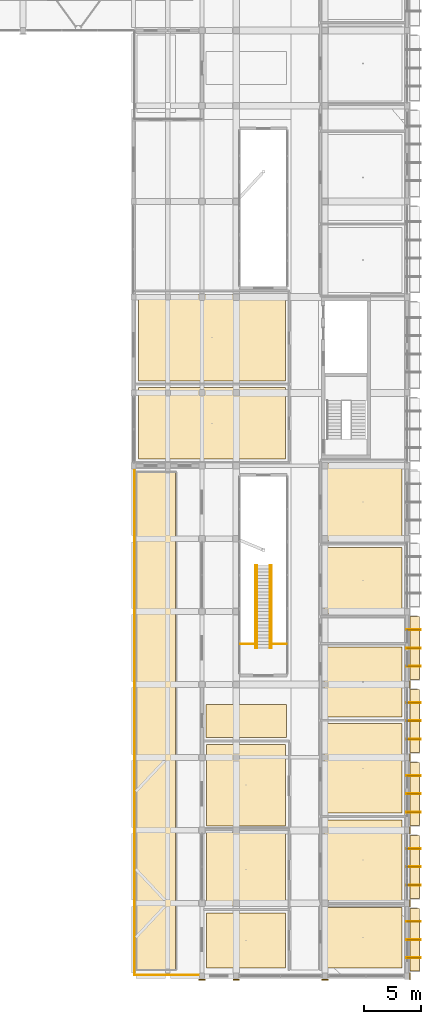
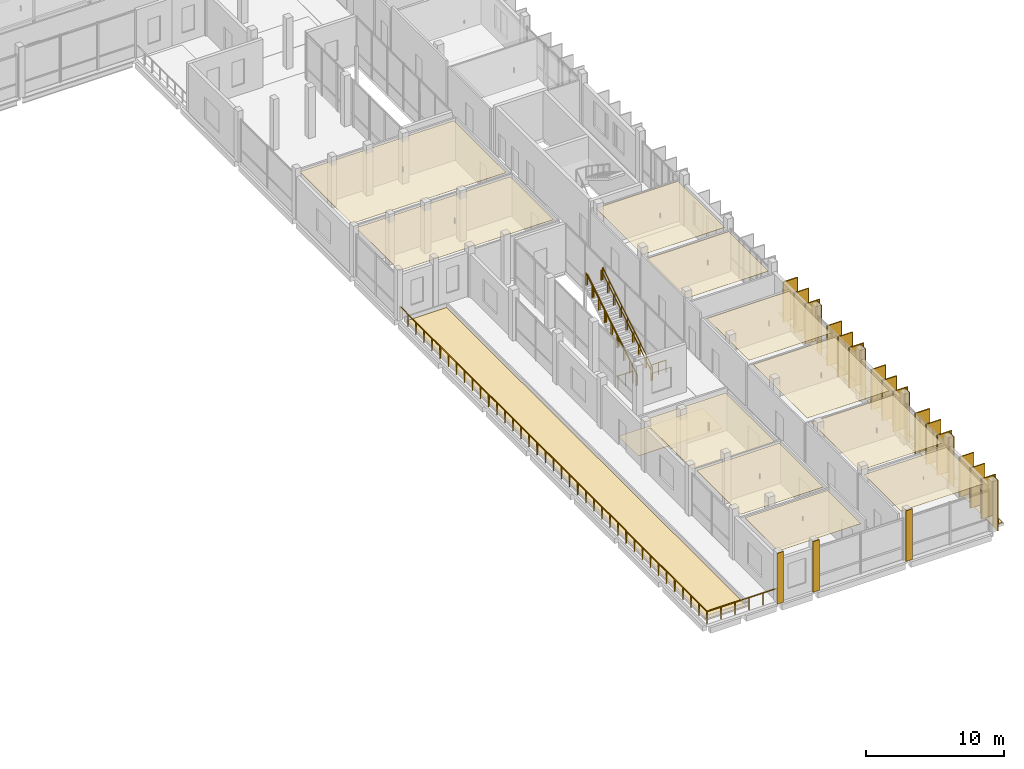
# One storey, part 92 of 95: 41 coverings, 15 shading devices, 8 railings.
"""IFC4 building model written with IfcOpenShell, lengths in metres."""

from ifc_helpers import new_model, si_unit, derived_unit, direction, frame, origin, origin_2d, place, context, subcontext, project, spatial, polyline, rectangle, circle, outline, extrude, material, layer, layer_set, type_object, element, save


model = new_model("IFC4")

# Units and contexts
model_context = context("Model", 3, precision=1e-05, world=origin(), true_north=direction((0.0, 1.0)))
body_context = subcontext(model_context, "Body", "Model", "MODEL_VIEW")
ifc_project = project(units=[si_unit("LENGTHUNIT", "METRE"), si_unit("AREAUNIT", "SQUARE_METRE"), si_unit("VOLUMEUNIT", "CUBIC_METRE"), si_unit("PLANEANGLEUNIT", "RADIAN"), si_unit("MASSUNIT", "GRAM", prefix="KILO"), derived_unit("THERMALTRANSMITTANCEUNIT", [(si_unit("POWERUNIT", "WATT"), 1), (si_unit("LENGTHUNIT", "METRE"), -2), (si_unit("THERMODYNAMICTEMPERATUREUNIT", "KELVIN"), -1)])], contexts=[model_context])

# Site, building, storey
site_placement = place(None, origin())
site = spatial("IfcSite", under=ifc_project, at=site_placement, CompositionType="ELEMENT")
building_placement = place(site_placement, origin())
building = spatial("IfcBuilding", under=site, at=building_placement, Name="Braskholm Square Health Centre", CompositionType="ELEMENT")
storey_placement = place(building_placement, frame((0.0, 0.0, 4.800048828125)))
storey = spatial("IfcBuildingStorey", under=building, at=storey_placement, Name="L02", CompositionType="ELEMENT", Elevation=4.800048828125)

# Coverings
ifc_material_1 = material(Name="Fire-rated gypsum board barrier")
ifc_layer_1 = layer(ifc_material_1, 0.02490234375)
ifc_layer_set_1 = layer_set([ifc_layer_1], Name="Fire-rated gypsum board barrier")
covering_type_1 = type_object("IfcCoveringType", Name="AcousticClinicalCeilingTile", PredefinedType="CEILING", material=ifc_layer_set_1)
covering_1_placement = place(storey_placement, frame((0.0, 0.0, 3.764892578125)))
element("IfcCovering", 1, at=covering_1_placement, inside=storey, type_object=covering_type_1, Name="Acoustic ceiling L02-188", PredefinedType="CEILING", context=body_context, shape_type="SweptSolid", body=[
    extrude(outline(polyline([(156.5, 4.89990234375), (163.3798828125, 4.89990234375), (163.3798828125, 10.25), (156.5, 10.25), (156.5, 4.89990234375)])), origin(), (0.0, 0.0, 1.0), 0.025146484375),
])
covering_2_placement = place(storey_placement, frame((0.0, 0.0, 3.764892578125)))
element("IfcCovering", 2, at=covering_2_placement, inside=storey, type_object=covering_type_1, Name="Acoustic ceiling L02-189", PredefinedType="CEILING", context=body_context, shape_type="SweptSolid", body=[
    extrude(outline(polyline([(156.5, 10.85009765625), (163.3798828125, 10.85009765625), (163.3798828125, 17.909912109375), (156.5, 17.909912109375), (156.5, 10.85009765625)])), origin(), (0.0, 0.0, 1.0), 0.025146484375),
])
covering_3_placement = place(storey_placement, frame((0.0, 0.0, 3.764892578125)))
element("IfcCovering", 3, at=covering_3_placement, inside=storey, type_object=covering_type_1, Name="Acoustic ceiling L02-190", PredefinedType="CEILING", context=body_context, shape_type="SweptSolid", body=[
    extrude(outline(polyline([(156.5, 18.510009765625), (163.3798828125, 18.510009765625), (163.3798828125, 26.360107421875), (156.5, 26.360107421875), (156.5, 18.510009765625)])), origin(), (0.0, 0.0, 1.0), 0.025146484375),
])
covering_4_placement = place(storey_placement, frame((0.0, 0.0, 3.764892578125)))
element("IfcCovering", 4, at=covering_4_placement, inside=storey, type_object=covering_type_1, Name="Acoustic ceiling L02-191", PredefinedType="CEILING", context=body_context, shape_type="SweptSolid", body=[
    extrude(outline(polyline([(156.5, 26.9599609375), (163.3798828125, 26.9599609375), (163.3798828125, 33.090087890625), (156.5, 33.090087890625), (156.5, 26.9599609375)])), origin(), (0.0, 0.0, 1.0), 0.025146484375),
])
covering_5_placement = place(storey_placement, frame((0.0, 0.0, 3.764892578125)))
element("IfcCovering", 5, at=covering_5_placement, inside=storey, type_object=covering_type_1, Name="Acoustic ceiling L02-193", PredefinedType="CEILING", context=body_context, shape_type="SweptSolid", body=[
    extrude(outline(polyline([(156.5, 36.0400390625), (163.3798828125, 36.0400390625), (163.3798828125, 41.820068359375), (156.5, 41.820068359375), (156.5, 36.0400390625)])), origin(), (0.0, 0.0, 1.0), 0.025146484375),
])
covering_6_placement = place(storey_placement, frame((0.0, 0.0, 3.764892578125)))
element("IfcCovering", 6, at=covering_6_placement, inside=storey, type_object=covering_type_1, Name="Acoustic ceiling L02-194", PredefinedType="CEILING", context=body_context, shape_type="SweptSolid", body=[
    extrude(outline(polyline([(156.5, 42.419921875), (163.3798828125, 42.419921875), (163.3798828125, 49.199951171875), (156.5, 49.199951171875), (156.5, 42.419921875)])), origin(), (0.0, 0.0, 1.0), 0.025146484375),
])
covering_7_placement = place(storey_placement, frame((0.0, 0.0, 3.8349609375)))
element("IfcCovering", 7, at=covering_7_placement, inside=storey, type_object=covering_type_1, Name="Acoustic ceiling L02-208", PredefinedType="CEILING", context=body_context, shape_type="SweptSolid", body=[
    extrude(outline(polyline([(146.219970703125, 4.89990234375), (153.14990234375, 4.89990234375), (153.14990234375, 9.760009765625), (146.219970703125, 9.760009765625), (146.219970703125, 4.89990234375)])), origin(), (0.0, 0.0, 1.0), 0.02490234375),
])
covering_8_placement = place(storey_placement, frame((0.0, 0.0, 3.764892578125)))
element("IfcCovering", 8, at=covering_8_placement, inside=storey, type_object=covering_type_1, Name="Acoustic ceiling L02-209", PredefinedType="CEILING", context=body_context, shape_type="SweptSolid", body=[
    extrude(outline(polyline([(146.219970703125, 10.360107421875), (153.14990234375, 10.360107421875), (153.14990234375, 16.7900390625), (146.219970703125, 16.7900390625), (146.219970703125, 10.360107421875)])), origin(), (0.0, 0.0, 1.0), 0.025146484375),
])
covering_9_placement = place(storey_placement, frame((0.0, 0.0, 3.514892578125)))
element("IfcCovering", 9, at=covering_9_placement, inside=storey, type_object=covering_type_1, Name="Acoustic ceiling L02-210", PredefinedType="CEILING", context=body_context, shape_type="SweptSolid", body=[
    extrude(outline(polyline([(146.219970703125, 17.389892578125), (153.14990234375, 17.389892578125), (153.14990234375, 24.550048828125), (146.219970703125, 24.550048828125), (146.219970703125, 17.389892578125)])), origin(), (0.0, 0.0, 1.0), 0.025146484375),
])
covering_10_placement = place(storey_placement, frame((0.0, 0.0, 3.704833984375)))
element("IfcCovering", 10, at=covering_10_placement, inside=storey, type_object=covering_type_1, Name="Acoustic ceiling L02-211", PredefinedType="CEILING", context=body_context, shape_type="SweptSolid", body=[
    extrude(outline(polyline([(140.219970703125, 49.580078125), (153.14990234375, 49.580078125), (153.14990234375, 55.860107421875), (140.219970703125, 55.860107421875), (140.219970703125, 49.580078125)])), origin(), (0.0, 0.0, 1.0), 0.025146484375),
])
covering_11_placement = place(storey_placement, frame((0.0, 0.0, 3.704833984375)))
element("IfcCovering", 11, at=covering_11_placement, inside=storey, type_object=covering_type_1, Name="Acoustic ceiling L02-212", PredefinedType="CEILING", context=body_context, shape_type="SweptSolid", body=[
    extrude(outline(polyline([(140.219970703125, 56.4599609375), (153.14990234375, 56.4599609375), (153.14990234375, 64.050048828125), (140.219970703125, 64.050048828125), (140.219970703125, 56.4599609375)])), origin(), (0.0, 0.0, 1.0), 0.025146484375),
])

# Railings
ifc_material_2 = material(Name="Dark patinated chevron architectural bronze", Category="aluminium")
railing_type_1 = type_object("IfcRailingType", Name="BronzeChevronGuardrail1100", PredefinedType="GUARDRAIL", material=ifc_material_2)
for number, where, name in (
    (12, (150.5, 33.0, 0.0), "Stair ST-08 side guard L"),
    (13, (151.89990234375, 33.0, 0.0), "Stair ST-08 side guard R"),
):
    element("IfcRailing", number, at=place(storey_placement, frame(where)), inside=storey, type_object=railing_type_1, Name=name, PredefinedType="GUARDRAIL", context=body_context, shape_type="SweptSolid", body=[
        extrude(circle(Radius=0.02392578125, at=origin_2d()), frame((0.0, 0.0, 1.076171875), z_axis=(0.0, 0.849640166198, 0.527362861778), x_axis=(-1.0, 0.0, 0.0)), (0.0, 0.0, 1.0), 8.532958984375),
        extrude(circle(Radius=0.02099609375, at=origin_2d()), origin(), (0.0, 0.0, 1.0), 1.052001953125),
        extrude(circle(Radius=0.02099609375, at=origin_2d()), frame((0.0, 0.90625, 0.5625)), (0.0, 0.0, 1.0), 1.052001953125),
        extrude(circle(Radius=0.02099609375, at=origin_2d()), frame((0.0, 1.8125, 1.125)), (0.0, 0.0, 1.0), 1.052001953125),
        extrude(circle(Radius=0.02099609375, at=origin_2d()), frame((0.0, 2.71875, 1.6875)), (0.0, 0.0, 1.0), 1.052001953125),
        extrude(circle(Radius=0.02099609375, at=origin_2d()), frame((0.0, 3.625, 2.25)), (0.0, 0.0, 1.0), 1.052001953125),
        extrude(circle(Radius=0.02099609375, at=origin_2d()), frame((0.0, 4.53125, 2.8125)), (0.0, 0.0, 1.0), 1.052001953125),
        extrude(circle(Radius=0.02099609375, at=origin_2d()), frame((0.0, 5.4375, 3.375)), (0.0, 0.0, 1.0), 1.052001953125),
        extrude(circle(Radius=0.02099609375, at=origin_2d()), frame((0.0, 6.34375, 3.9375)), (0.0, 0.0, 1.0), 1.052001953125),
        extrude(circle(Radius=0.02099609375, at=origin_2d()), frame((0.0, 7.25, 4.5)), (0.0, 0.0, 1.0), 1.052001953125),
    ])
for number, where, name in (
    (14, (149.179931640625, 33.35009765625, 0.0), "Atrium stair landing edge guard 21"),
    (15, (151.949951171875, 33.35009765625, 0.0), "Atrium stair landing edge guard 22"),
):
    element("IfcRailing", number, at=place(storey_placement, frame(where)), inside=storey, type_object=railing_type_1, Name=name, PredefinedType="GUARDRAIL", context=body_context, shape_type="SweptSolid", body=[
        extrude(circle(Radius=0.02392578125, at=origin_2d()), frame((0.0, 0.0, 1.076171875), z_axis=(1.0, 0.0, 0.0), x_axis=(0.0, 1.0, 0.0)), (0.0, 0.0, 1.0), 1.27001953125),
        extrude(circle(Radius=0.02099609375, at=origin_2d()), origin(), (0.0, 0.0, 1.0), 1.052001953125),
        extrude(circle(Radius=0.02099609375, at=origin_2d()), frame((0.635009765625, 0.0, 0.0)), (0.0, 0.0, 1.0), 1.052001953125),
        extrude(circle(Radius=0.02099609375, at=origin_2d()), frame((1.27001953125, 0.0, 0.0)), (0.0, 0.0, 1.0), 1.052001953125),
    ])
railing_1_placement = place(storey_placement, frame((145.75, 4.300048828125, 0.0)))
element("IfcRailing", 16, at=railing_1_placement, inside=storey, type_object=railing_type_1, Name="Bronze chevron guardrail 0007 L02", PredefinedType="GUARDRAIL", context=body_context, shape_type="SweptSolid", body=[
    extrude(circle(Radius=0.02392578125, at=origin_2d()), frame((0.0, 0.0, 1.076171875), z_axis=(-1.0, 0.0, 0.0), x_axis=(0.0, -1.0, 0.0)), (0.0, 0.0, 1.0), 5.85009765625),
    extrude(circle(Radius=0.02099609375, at=origin_2d()), origin(), (0.0, 0.0, 1.0), 1.052001953125),
    extrude(circle(Radius=0.02099609375, at=origin_2d()), frame((-1.169921875, 0.0, 0.0)), (0.0, 0.0, 1.0), 1.052001953125),
    extrude(circle(Radius=0.02099609375, at=origin_2d()), frame((-2.340087890625, 0.0, 0.0)), (0.0, 0.0, 1.0), 1.052001953125),
    extrude(circle(Radius=0.02099609375, at=origin_2d()), frame((-3.510009765625, 0.0, 0.0)), (0.0, 0.0, 1.0), 1.052001953125),
    extrude(circle(Radius=0.02099609375, at=origin_2d()), frame((-4.68017578125, 0.0, 0.0)), (0.0, 0.0, 1.0), 1.052001953125),
    extrude(circle(Radius=0.02099609375, at=origin_2d()), frame((-5.85009765625, 0.0, 0.0)), (0.0, 0.0, 1.0), 1.052001953125),
])
railing_2_placement = place(storey_placement, frame((139.89990234375, 4.300048828125, 0.0)))
element("IfcRailing", 17, at=railing_2_placement, inside=storey, type_object=railing_type_1, Name="Bronze chevron guardrail 0008 L02", PredefinedType="GUARDRAIL", context=body_context, shape_type="SweptSolid", body=[
    extrude(circle(Radius=0.02392578125, at=origin_2d()), frame((0.0, 0.0, 1.076171875), z_axis=(0.0, 1.0, 0.0), x_axis=(-1.0, 0.0, 0.0)), (0.0, 0.0, 1.0), 44.64990234375),
    extrude(circle(Radius=0.02099609375, at=origin_2d()), origin(), (0.0, 0.0, 1.0), 1.052001953125),
    extrude(circle(Radius=0.02099609375, at=origin_2d()), frame((0.0, 1.175048828125, 0.0)), (0.0, 0.0, 1.0), 1.052001953125),
    extrude(circle(Radius=0.02099609375, at=origin_2d()), frame((0.0, 2.35009765625, 0.0)), (0.0, 0.0, 1.0), 1.052001953125),
    extrude(circle(Radius=0.02099609375, at=origin_2d()), frame((0.0, 3.52490234375, 0.0)), (0.0, 0.0, 1.0), 1.052001953125),
    extrude(circle(Radius=0.02099609375, at=origin_2d()), frame((0.0, 4.699951171875, 0.0)), (0.0, 0.0, 1.0), 1.052001953125),
    extrude(circle(Radius=0.02099609375, at=origin_2d()), frame((0.0, 5.875, 0.0)), (0.0, 0.0, 1.0), 1.052001953125),
    extrude(circle(Radius=0.02099609375, at=origin_2d()), frame((0.0, 7.050048828125, 0.0)), (0.0, 0.0, 1.0), 1.052001953125),
    extrude(circle(Radius=0.02099609375, at=origin_2d()), frame((0.0, 8.22509765625, 0.0)), (0.0, 0.0, 1.0), 1.052001953125),
    extrude(circle(Radius=0.02099609375, at=origin_2d()), frame((0.0, 9.39990234375, 0.0)), (0.0, 0.0, 1.0), 1.052001953125),
    extrude(circle(Radius=0.02099609375, at=origin_2d()), frame((0.0, 10.574951171875, 0.0)), (0.0, 0.0, 1.0), 1.052001953125),
    extrude(circle(Radius=0.02099609375, at=origin_2d()), frame((0.0, 11.75, 0.0)), (0.0, 0.0, 1.0), 1.052001953125),
    extrude(circle(Radius=0.02099609375, at=origin_2d()), frame((0.0, 12.925048828125, 0.0)), (0.0, 0.0, 1.0), 1.052001953125),
    extrude(circle(Radius=0.02099609375, at=origin_2d()), frame((0.0, 14.099853515625, 0.0)), (0.0, 0.0, 1.0), 1.052001953125),
    extrude(circle(Radius=0.02099609375, at=origin_2d()), frame((0.0, 15.27490234375, 0.0)), (0.0, 0.0, 1.0), 1.052001953125),
    extrude(circle(Radius=0.02099609375, at=origin_2d()), frame((0.0, 16.449951171875, 0.0)), (0.0, 0.0, 1.0), 1.052001953125),
    extrude(circle(Radius=0.02099609375, at=origin_2d()), frame((0.0, 17.625, 0.0)), (0.0, 0.0, 1.0), 1.052001953125),
    extrude(circle(Radius=0.02099609375, at=origin_2d()), frame((0.0, 18.800048828125, 0.0)), (0.0, 0.0, 1.0), 1.052001953125),
    extrude(circle(Radius=0.02099609375, at=origin_2d()), frame((0.0, 19.974853515625, 0.0)), (0.0, 0.0, 1.0), 1.052001953125),
    extrude(circle(Radius=0.02099609375, at=origin_2d()), frame((0.0, 21.14990234375, 0.0)), (0.0, 0.0, 1.0), 1.052001953125),
    extrude(circle(Radius=0.02099609375, at=origin_2d()), frame((0.0, 22.324951171875, 0.0)), (0.0, 0.0, 1.0), 1.052001953125),
    extrude(circle(Radius=0.02099609375, at=origin_2d()), frame((0.0, 23.5, 0.0)), (0.0, 0.0, 1.0), 1.052001953125),
    extrude(circle(Radius=0.02099609375, at=origin_2d()), frame((0.0, 24.675048828125, 0.0)), (0.0, 0.0, 1.0), 1.052001953125),
    extrude(circle(Radius=0.02099609375, at=origin_2d()), frame((0.0, 25.849853515625, 0.0)), (0.0, 0.0, 1.0), 1.052001953125),
    extrude(circle(Radius=0.02099609375, at=origin_2d()), frame((0.0, 27.02490234375, 0.0)), (0.0, 0.0, 1.0), 1.052001953125),
    extrude(circle(Radius=0.02099609375, at=origin_2d()), frame((0.0, 28.199951171875, 0.0)), (0.0, 0.0, 1.0), 1.052001953125),
    extrude(circle(Radius=0.02099609375, at=origin_2d()), frame((0.0, 29.375, 0.0)), (0.0, 0.0, 1.0), 1.052001953125),
    extrude(circle(Radius=0.02099609375, at=origin_2d()), frame((0.0, 30.550048828125, 0.0)), (0.0, 0.0, 1.0), 1.052001953125),
    extrude(circle(Radius=0.02099609375, at=origin_2d()), frame((0.0, 31.724853515625, 0.0)), (0.0, 0.0, 1.0), 1.052001953125),
    extrude(circle(Radius=0.02099609375, at=origin_2d()), frame((0.0, 32.89990234375, 0.0)), (0.0, 0.0, 1.0), 1.052001953125),
    extrude(circle(Radius=0.02099609375, at=origin_2d()), frame((0.0, 34.074951171875, 0.0)), (0.0, 0.0, 1.0), 1.052001953125),
    extrude(circle(Radius=0.02099609375, at=origin_2d()), frame((0.0, 35.25, 0.0)), (0.0, 0.0, 1.0), 1.052001953125),
    extrude(circle(Radius=0.02099609375, at=origin_2d()), frame((0.0, 36.4248046875, 0.0)), (0.0, 0.0, 1.0), 1.052001953125),
    extrude(circle(Radius=0.02099609375, at=origin_2d()), frame((0.0, 37.599853515625, 0.0)), (0.0, 0.0, 1.0), 1.052001953125),
    extrude(circle(Radius=0.02099609375, at=origin_2d()), frame((0.0, 38.77490234375, 0.0)), (0.0, 0.0, 1.0), 1.052001953125),
    extrude(circle(Radius=0.02099609375, at=origin_2d()), frame((0.0, 39.949951171875, 0.0)), (0.0, 0.0, 1.0), 1.052001953125),
    extrude(circle(Radius=0.02099609375, at=origin_2d()), frame((0.0, 41.125, 0.0)), (0.0, 0.0, 1.0), 1.052001953125),
    extrude(circle(Radius=0.02099609375, at=origin_2d()), frame((0.0, 42.2998046875, 0.0)), (0.0, 0.0, 1.0), 1.052001953125),
    extrude(circle(Radius=0.02099609375, at=origin_2d()), frame((0.0, 43.474853515625, 0.0)), (0.0, 0.0, 1.0), 1.052001953125),
    extrude(circle(Radius=0.02099609375, at=origin_2d()), frame((0.0, 44.64990234375, 0.0)), (0.0, 0.0, 1.0), 1.052001953125),
])

# Shading devices
ifc_material_3 = material(Name="Thermally modified western red cedar with bronze trim", Category="wood")
shading_device_type = type_object("IfcShadingDeviceType", Name="CedarBronzeShadingFin1250", PredefinedType="USERDEFINED", material=ifc_material_3)
for number, where, z_axis, x_axis, name in (
    (18, (164.364990234375, 5.800048828125, 0.0), (0.0, 0.0, 1.0), (1.0, 0.0, 0.0), "Warm cedar-bronze vertical shading slat 0205"),
    (19, (164.364990234375, 7.39990234375, 0.0), (0.0, 0.0, 1.0), (1.0, 0.0, 0.0), "Warm cedar-bronze vertical shading slat 0206"),
    (20, (164.364990234375, 9.0, 0.0), (0.0, 0.0, 1.0), (1.0, 0.0, 0.0), "Warm cedar-bronze vertical shading slat 0207"),
    (21, (164.364990234375, 12.199951171875, 0.0), (0.0, 0.0, 1.0), (1.0, 0.0, 0.0), "Warm cedar-bronze vertical shading slat 0208"),
    (22, (164.364990234375, 13.800048828125, 0.0), (0.0, 0.0, 1.0), (1.0, 0.0, 0.0), "Warm cedar-bronze vertical shading slat 0209"),
    (23, (164.364990234375, 15.39990234375, 0.0), (0.0, 0.0, 1.0), (1.0, 0.0, 0.0), "Warm cedar-bronze vertical shading slat 0210"),
    (24, (164.364990234375, 18.60009765625, 0.0), (0.0, 0.0, 1.0), (1.0, 0.0, 0.0), "Warm cedar-bronze vertical shading slat 0211"),
    (25, (164.364990234375, 20.199951171875, 0.0), (0.0, 0.0, 1.0), (1.0, 0.0, 0.0), "Warm cedar-bronze vertical shading slat 0212"),
    (26, (164.364990234375, 21.800048828125, 0.0), (0.0, 0.0, 1.0), (1.0, 0.0, 0.0), "Warm cedar-bronze vertical shading slat 0213"),
    (27, (164.364990234375, 25.0, 0.0), (0.0, 0.0, 1.0), (1.0, 0.0, 0.0), "Warm cedar-bronze vertical shading slat 0214"),
    (28, (164.364990234375, 26.60009765625, 0.0), (0.0, 0.0, 1.0), (1.0, 0.0, 0.0), "Warm cedar-bronze vertical shading slat 0215"),
    (29, (164.364990234375, 28.199951171875, 0.0), (0.0, 0.0, 1.0), (1.0, 0.0, 0.0), "Warm cedar-bronze vertical shading slat 0216"),
    (30, (164.364990234375, 31.39990234375, 0.0), (0.0, 0.0, 1.0), (1.0, 0.0, 0.0), "Warm cedar-bronze vertical shading slat 0217"),
    (31, (164.364990234375, 33.0, 0.0), (0.0, 0.0, 1.0), (1.0, 0.0, 0.0), "Warm cedar-bronze vertical shading slat 0218"),
    (32, (164.364990234375, 34.60009765625, 0.0), (0.0, 0.0, 1.0), (1.0, 0.0, 0.0), "Warm cedar-bronze vertical shading slat 0219"),
):
    element("IfcShadingDevice", number, at=place(storey_placement, frame(where, z_axis=z_axis, x_axis=x_axis)), inside=storey, type_object=shading_device_type, Name=name, ObjectType="FIN", PredefinedType="USERDEFINED", context=body_context, shape_type="SweptSolid", body=[
        extrude(rectangle(XDim=1.25, YDim=0.0849609375, at=origin_2d()), origin(), (0.0, 0.0, 1.0), 3.570068359375),
    ])

# Coverings
ifc_layer_2 = layer(ifc_material_3, 0.0849609375)
ifc_layer_set_2 = layer_set([ifc_layer_2], Name="Thermally modified western red cedar with bronze trim")
covering_type_2 = type_object("IfcCoveringType", Name="CedarBronzeSlatCladding", PredefinedType="CLADDING", material=ifc_layer_set_2)
for number, where, z_axis, x_axis, name in (
    (33, (164.3701171875, 5.800048828125, 0.0), (0.0, 0.0, 1.0), (1.0, 0.0, 0.0), "Cedar-bronze shading slat trim 0680"),
    (34, (164.3701171875, 7.39990234375, 0.0), (0.0, 0.0, 1.0), (1.0, 0.0, 0.0), "Cedar-bronze shading slat trim 0681"),
    (35, (164.3701171875, 9.0, 0.0), (0.0, 0.0, 1.0), (1.0, 0.0, 0.0), "Cedar-bronze shading slat trim 0682"),
    (36, (164.3701171875, 12.199951171875, 0.0), (0.0, 0.0, 1.0), (1.0, 0.0, 0.0), "Cedar-bronze shading slat trim 0684"),
    (37, (164.3701171875, 13.800048828125, 0.0), (0.0, 0.0, 1.0), (1.0, 0.0, 0.0), "Cedar-bronze shading slat trim 0685"),
    (38, (164.3701171875, 15.39990234375, 0.0), (0.0, 0.0, 1.0), (1.0, 0.0, 0.0), "Cedar-bronze shading slat trim 0686"),
    (39, (164.3701171875, 18.60009765625, 0.0), (0.0, 0.0, 1.0), (1.0, 0.0, 0.0), "Cedar-bronze shading slat trim 0688"),
    (40, (164.3701171875, 20.199951171875, 0.0), (0.0, 0.0, 1.0), (1.0, 0.0, 0.0), "Cedar-bronze shading slat trim 0689"),
    (41, (164.3701171875, 21.800048828125, 0.0), (0.0, 0.0, 1.0), (1.0, 0.0, 0.0), "Cedar-bronze shading slat trim 0690"),
    (42, (164.3701171875, 25.0, 0.0), (0.0, 0.0, 1.0), (1.0, 0.0, 0.0), "Cedar-bronze shading slat trim 0692"),
    (43, (164.3701171875, 26.60009765625, 0.0), (0.0, 0.0, 1.0), (1.0, 0.0, 0.0), "Cedar-bronze shading slat trim 0693"),
    (44, (164.3701171875, 28.199951171875, 0.0), (0.0, 0.0, 1.0), (1.0, 0.0, 0.0), "Cedar-bronze shading slat trim 0694"),
    (45, (164.3701171875, 31.39990234375, 0.0), (0.0, 0.0, 1.0), (1.0, 0.0, 0.0), "Cedar-bronze shading slat trim 0696"),
    (46, (164.3701171875, 33.0, 0.0), (0.0, 0.0, 1.0), (1.0, 0.0, 0.0), "Cedar-bronze shading slat trim 0697"),
    (47, (164.3701171875, 34.60009765625, 0.0), (0.0, 0.0, 1.0), (1.0, 0.0, 0.0), "Cedar-bronze shading slat trim 0698"),
):
    element("IfcCovering", number, at=place(storey_placement, frame(where, z_axis=z_axis, x_axis=x_axis)), inside=storey, type_object=covering_type_2, Name=name, PredefinedType="CLADDING", context=body_context, shape_type="SweptSolid", body=[
        extrude(rectangle(XDim=1.179931640625, YDim=0.094970703125, at=origin_2d()), origin(), (0.0, 0.0, 1.0), 3.570068359375),
    ])
ifc_material_4 = material(Name="Intensive botanical sedum and native prairie garden bed")
ifc_layer_3 = layer(ifc_material_4, 0.02490234375)
ifc_layer_set_3 = layer_set([ifc_layer_3], Name="Intensive botanical sedum and native prairie garden bed")
covering_type_3 = type_object("IfcCoveringType", Name="PlantedTerraceGardenBed", PredefinedType="ROOFING", material=ifc_layer_set_3)
covering_12_placement = place(storey_placement, origin())
element("IfcCovering", 48, at=covering_12_placement, inside=storey, type_object=covering_type_3, Name="East floor planter ledge sedum strip 0683", PredefinedType="ROOFING", context=body_context, shape_type="SweptSolid", body=[
    extrude(outline(polyline([(164.050048828125, 4.639892578125), (164.8798828125, 4.639892578125), (164.8798828125, 10.159912109375), (164.050048828125, 10.159912109375), (164.050048828125, 4.639892578125)])), origin(), (0.0, 0.0, 1.0), 0.02490234375),
])
covering_13_placement = place(storey_placement, origin())
element("IfcCovering", 49, at=covering_13_placement, inside=storey, type_object=covering_type_3, Name="East floor planter ledge sedum strip 0687", PredefinedType="ROOFING", context=body_context, shape_type="SweptSolid", body=[
    extrude(outline(polyline([(164.050048828125, 11.0400390625), (164.8798828125, 11.0400390625), (164.8798828125, 16.56005859375), (164.050048828125, 16.56005859375), (164.050048828125, 11.0400390625)])), origin(), (0.0, 0.0, 1.0), 0.02490234375),
])
covering_14_placement = place(storey_placement, origin())
element("IfcCovering", 50, at=covering_14_placement, inside=storey, type_object=covering_type_3, Name="East floor planter ledge sedum strip 0691", PredefinedType="ROOFING", context=body_context, shape_type="SweptSolid", body=[
    extrude(outline(polyline([(164.050048828125, 17.43994140625), (164.8798828125, 17.43994140625), (164.8798828125, 22.9599609375), (164.050048828125, 22.9599609375), (164.050048828125, 17.43994140625)])), origin(), (0.0, 0.0, 1.0), 0.02490234375),
])
covering_15_placement = place(storey_placement, origin())
element("IfcCovering", 51, at=covering_15_placement, inside=storey, type_object=covering_type_3, Name="East floor planter ledge sedum strip 0695", PredefinedType="ROOFING", context=body_context, shape_type="SweptSolid", body=[
    extrude(outline(polyline([(164.050048828125, 23.840087890625), (164.8798828125, 23.840087890625), (164.8798828125, 29.360107421875), (164.050048828125, 29.360107421875), (164.050048828125, 23.840087890625)])), origin(), (0.0, 0.0, 1.0), 0.02490234375),
])
covering_16_placement = place(storey_placement, origin())
element("IfcCovering", 52, at=covering_16_placement, inside=storey, type_object=covering_type_3, Name="East floor planter ledge sedum strip 0699", PredefinedType="ROOFING", context=body_context, shape_type="SweptSolid", body=[
    extrude(outline(polyline([(164.050048828125, 30.239990234375), (164.8798828125, 30.239990234375), (164.8798828125, 35.760009765625), (164.050048828125, 35.760009765625), (164.050048828125, 30.239990234375)])), origin(), (0.0, 0.0, 1.0), 0.02490234375),
])
covering_17_placement = place(storey_placement, origin())
element("IfcCovering", 53, at=covering_17_placement, inside=storey, type_object=covering_type_3, Name="Planted therapy terrace garden bed 0905", PredefinedType="ROOFING", context=body_context, shape_type="SweptSolid", body=[
    extrude(outline(polyline([(140.10009765625, 4.800048828125), (143.5, 4.800048828125), (143.5, 48.39990234375), (140.10009765625, 48.39990234375), (140.10009765625, 4.800048828125)])), origin(), (0.0, 0.0, 1.0), 0.02490234375),
])
ifc_material_5 = material(Name="Polished geometric terrazzo flooring", Category="masonry")
ifc_layer_4 = layer(ifc_material_5, 0.02001953125)
ifc_layer_set_4 = layer_set([ifc_layer_4], Name="Polished geometric terrazzo flooring")
covering_type_4 = type_object("IfcCoveringType", Name="PolishedTerrazzoFloorFinish", PredefinedType="FLOORING", material=ifc_layer_set_4)
covering_18_placement = place(storey_placement, origin())
element("IfcCovering", 54, at=covering_18_placement, inside=storey, type_object=covering_type_4, Name="Polished terrazzo floor L02-205", PredefinedType="FLOORING", context=body_context, shape_type="SweptSolid", body=[
    extrude(outline(polyline([(146.169921875, 25.14990234375), (153.219970703125, 25.14990234375), (153.219970703125, 28.050048828125), (146.169921875, 28.050048828125), (146.169921875, 25.14990234375)])), origin(), (0.0, 0.0, 1.0), 0.02001953125),
])
ifc_material_6 = material(Name="Precast concrete C40/50 architectural white", Category="concrete")
ifc_layer_5 = layer(ifc_material_6, 0.054931640625)
ifc_layer_set_5 = layer_set([ifc_layer_5], Name="Precast concrete C40/50 architectural white")
covering_type_5 = type_object("IfcCoveringType", Name="PrecastWhiteColumnCasing", PredefinedType="CLADDING", material=ifc_layer_set_5)
for number, where, z_axis, x_axis, name in (
    (55, (145.800048828125, 3.89501953125, 0.0), (0.0, 0.0, 1.0), (1.0, 0.0, 0.0), "Giant-order white precast column casing 0221"),
    (56, (148.800048828125, 3.89501953125, 0.0), (0.0, 0.0, 1.0), (1.0, 0.0, 0.0), "Giant-order white precast column casing 0225"),
    (57, (156.60009765625, 3.89501953125, 0.0), (0.0, 0.0, 1.0), (1.0, 0.0, 0.0), "Giant-order white precast column casing 0235"),
):
    element("IfcCovering", number, at=place(storey_placement, frame(where, z_axis=z_axis, x_axis=x_axis)), inside=storey, type_object=covering_type_5, Name=name, PredefinedType="CLADDING", context=body_context, shape_type="SweptSolid", body=[
        extrude(rectangle(XDim=0.5400390625, YDim=0.06005859375, at=origin_2d()), origin(), (0.0, 0.0, 1.0), 4.5),
    ])
for number, where, z_axis, x_axis, name in (
    (58, (164.054931640625, 4.199951171875, 0.0), (0.0, 0.0, 1.0), (1.0, 0.0, 0.0), "Giant-order white precast column casing 0245"),
    (59, (164.054931640625, 10.60009765625, 0.0), (0.0, 0.0, 1.0), (1.0, 0.0, 0.0), "Giant-order white precast column casing 0253"),
    (60, (164.054931640625, 17.0, 0.0), (0.0, 0.0, 1.0), (1.0, 0.0, 0.0), "Giant-order white precast column casing 0261"),
    (61, (164.054931640625, 23.39990234375, 0.0), (0.0, 0.0, 1.0), (1.0, 0.0, 0.0), "Giant-order white precast column casing 0269"),
    (62, (164.054931640625, 29.800048828125, 0.0), (0.0, 0.0, 1.0), (1.0, 0.0, 0.0), "Giant-order white precast column casing 0277"),
):
    element("IfcCovering", number, at=place(storey_placement, frame(where, z_axis=z_axis, x_axis=x_axis)), inside=storey, type_object=covering_type_5, Name=name, PredefinedType="CLADDING", context=body_context, shape_type="SweptSolid", body=[
        extrude(rectangle(XDim=0.06005859375, YDim=0.639892578125, at=origin_2d()), origin(), (0.0, 0.0, 1.0), 4.5),
    ])

# Railings
railing_type_2 = type_object("IfcRailingType", Name="StairTubularHandrail915", PredefinedType="HANDRAIL", material=ifc_material_2)
for number, where, name in (
    (63, (150.6259765625, 33.0, 0.0), "Stair ST-08 tubular handrail L"),
    (64, (151.77392578125, 33.0, 0.0), "Stair ST-08 tubular handrail R"),
):
    element("IfcRailing", number, at=place(storey_placement, frame(where)), inside=storey, type_object=railing_type_2, Name=name, PredefinedType="HANDRAIL", context=body_context, shape_type="SweptSolid", body=[
        extrude(circle(Radius=0.02392578125, at=origin_2d()), frame((0.0, 0.0, 0.89111328125), z_axis=(0.0, 0.849640166198, 0.527362861778), x_axis=(-1.0, 0.0, 0.0)), (0.0, 0.0, 1.0), 8.532958984375),
        extrude(circle(Radius=0.02099609375, at=origin_2d()), origin(), (0.0, 0.0, 1.0), 0.866943359375),
        extrude(circle(Radius=0.02099609375, at=origin_2d()), frame((0.0, 0.90625, 0.5625)), (0.0, 0.0, 1.0), 0.866943359375),
        extrude(circle(Radius=0.02099609375, at=origin_2d()), frame((0.0, 1.8125, 1.125)), (0.0, 0.0, 1.0), 0.866943359375),
        extrude(circle(Radius=0.02099609375, at=origin_2d()), frame((0.0, 2.71875, 1.6875)), (0.0, 0.0, 1.0), 0.866943359375),
        extrude(circle(Radius=0.02099609375, at=origin_2d()), frame((0.0, 3.625, 2.25)), (0.0, 0.0, 1.0), 0.866943359375),
        extrude(circle(Radius=0.02099609375, at=origin_2d()), frame((0.0, 4.53125, 2.8125)), (0.0, 0.0, 1.0), 0.866943359375),
        extrude(circle(Radius=0.02099609375, at=origin_2d()), frame((0.0, 5.4375, 3.375)), (0.0, 0.0, 1.0), 0.866943359375),
        extrude(circle(Radius=0.02099609375, at=origin_2d()), frame((0.0, 6.34375, 3.9375)), (0.0, 0.0, 1.0), 0.866943359375),
        extrude(circle(Radius=0.02099609375, at=origin_2d()), frame((0.0, 7.25, 4.5)), (0.0, 0.0, 1.0), 0.866943359375),
    ])

save(model, "model.ifc")
